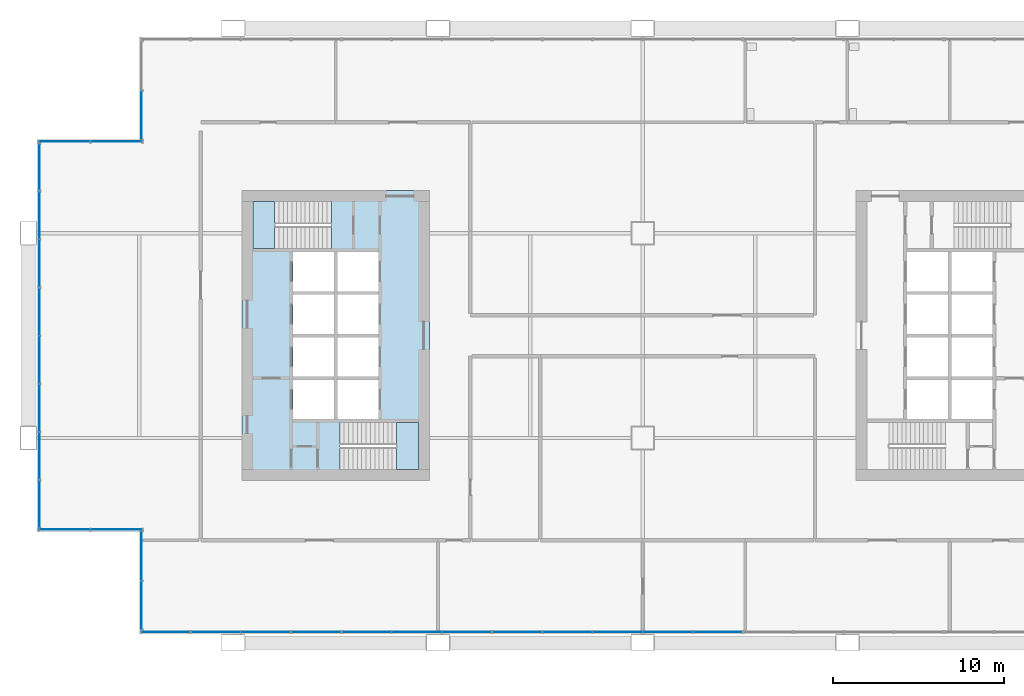
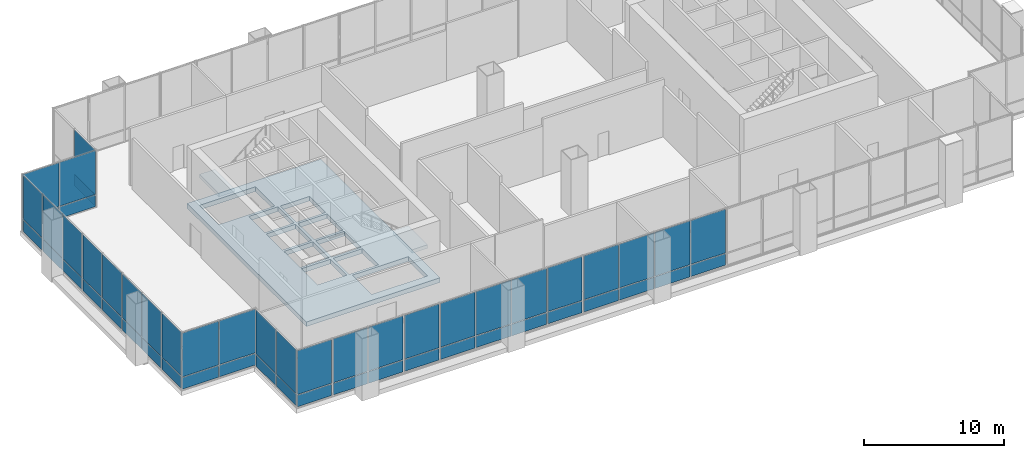
# One storey, part 12 of 20: 54 plates, 3 slabs, 17 elements without a shape of their own.
"""IFC4 building model written with IfcOpenShell, lengths in metres."""

from ifc_helpers import new_model, si_unit, direction, frame, origin, origin_2d, place, context, subcontext, project, spatial, polyline, rectangle, outline, extrude, material, layer, layer_set, type_object, element, aggregate, save


model = new_model("IFC4")

# Units and contexts
model_context = context("Model", 3, precision=1e-05, world=origin(), true_north=direction((0.0, 1.0)))
body_context = subcontext(model_context, "Body", "Model", "MODEL_VIEW")
ifc_project = project(units=[si_unit("LENGTHUNIT", "METRE"), si_unit("AREAUNIT", "SQUARE_METRE"), si_unit("VOLUMEUNIT", "CUBIC_METRE"), si_unit("PLANEANGLEUNIT", "RADIAN"), si_unit("MASSUNIT", "GRAM", prefix="KILO")], contexts=[model_context])

# Site, building, storey
site_placement = place(None, origin())
site = spatial("IfcSite", under=ifc_project, at=site_placement, CompositionType="ELEMENT")
building_placement = place(site_placement, origin())
building = spatial("IfcBuilding", under=site, at=building_placement, Name="Kitamizu Gate Tower and Museum", CompositionType="ELEMENT")
storey_placement = place(building_placement, frame((0.0, 0.0, 148.35009765625)))
storey = spatial("IfcBuildingStorey", under=building, at=storey_placement, Name="L39", CompositionType="ELEMENT", Elevation=148.35009765625)

# Slab
ifc_material_1 = material(Name="Concrete Fc36", Category="concrete")
ifc_layer_1 = layer(ifc_material_1, 0.39990234375)
ifc_layer_set_1 = layer_set([ifc_layer_1], Name="Concrete Fc36")
slab_type_1 = type_object("IfcSlabType", Name="Core floor slab 400", PredefinedType="FLOOR", material=ifc_layer_set_1)
slab_1_placement = place(storey_placement, frame((0.0, 0.0, -0.400146484375)))
element("IfcSlab", 1, at=slab_1_placement, inside=storey, type_object=slab_type_1, Name="Core floor slab W", PredefinedType="FLOOR", context=body_context, shape_type="SweptSolid", body=[
    extrude(outline(polyline([(12.5, 21.5), (23.5, 21.5), (23.5, 38.5), (12.5, 38.5), (12.5, 21.5)]), holes=[polyline([(15.5, 25.10009765625), (17.89990234375, 25.10009765625), (17.89990234375, 27.39990234375), (15.5, 27.39990234375), (15.5, 25.10009765625)]), polyline([(15.5, 27.60009765625), (17.89990234375, 27.60009765625), (17.89990234375, 29.89990234375), (15.5, 29.89990234375), (15.5, 27.60009765625)]), polyline([(15.5, 30.10009765625), (17.89990234375, 30.10009765625), (17.89990234375, 32.39990234375), (15.5, 32.39990234375), (15.5, 30.10009765625)]), polyline([(15.5, 32.60009765625), (17.89990234375, 32.60009765625), (17.89990234375, 34.89990234375), (15.5, 34.89990234375), (15.5, 32.60009765625)]), polyline([(18.10009765625, 25.10009765625), (20.5, 25.10009765625), (20.5, 27.39990234375), (18.10009765625, 27.39990234375), (18.10009765625, 25.10009765625)]), polyline([(18.10009765625, 27.60009765625), (20.5, 27.60009765625), (20.5, 29.89990234375), (18.10009765625, 29.89990234375), (18.10009765625, 27.60009765625)]), polyline([(18.10009765625, 30.10009765625), (20.5, 30.10009765625), (20.5, 32.39990234375), (18.10009765625, 32.39990234375), (18.10009765625, 30.10009765625)]), polyline([(18.10009765625, 32.60009765625), (20.5, 32.60009765625), (20.5, 34.89990234375), (18.10009765625, 34.89990234375), (18.10009765625, 32.60009765625)]), polyline([(18.25048828125, 22.14990234375), (22.85009765625, 22.14990234375), (22.85009765625, 24.89990234375), (18.25048828125, 24.89990234375), (18.25048828125, 22.14990234375)]), polyline([(13.14990234375, 35.10009765625), (17.74951171875, 35.10009765625), (17.74951171875, 37.85009765625), (13.14990234375, 37.85009765625), (13.14990234375, 35.10009765625)])]), origin(), (0.0, 0.0, 1.0), 0.400146484375),
])

# Curtain wall, plates
ifc_material_2 = material(Name="Bronze anodised aluminium frame, tinted triple glazing", Category="aluminium")
curtain_wall_type_1 = type_object("IfcCurtainWallType", Name="CURTAIN WALL TYPE B SKY LOBBY", PredefinedType="NOTDEFINED", material=ifc_material_2)
curtain_wall_1_placement = place(storey_placement, origin())
curtain_wall_1 = element("IfcCurtainWall", 2, at=curtain_wall_1_placement, inside=storey, type_object=curtain_wall_type_1, Name="Curtain wall CW-B south L39 part 1", PredefinedType="NOTDEFINED")
ifc_material_3 = material(Name="Tinted insulating glass", Category="glass")
ifc_layer_2 = layer(ifc_material_3, 0.031982421875)
ifc_layer_set_2 = layer_set([ifc_layer_2], Name="Tinted insulating glass")
plate_type_1 = type_object("IfcPlateType", Name="GLASS PANEL 32 TYPE B", PredefinedType="CURTAIN_PANEL", material=ifc_layer_set_2)
plate_1_placement = place(storey_placement, frame((8.031982421875, 12.635009765625, 0.06005859375), z_axis=(0.0, 0.0, 1.0), x_axis=(1.0, 0.0, 0.0)))
plate_1 = element("IfcPlate", 3, at=plate_1_placement, type_object=plate_type_1, Name="CW-B panel 1.1", PredefinedType="CURTAIN_PANEL", context=body_context, shape_type="SweptSolid", body=[
    extrude(rectangle(XDim=2.803955078125, YDim=0.031982421875, at=origin_2d()), origin(), (0.0, 0.0, 1.0), 1.010009765625),
])
plate_2_placement = place(storey_placement, frame((8.031982421875, 12.635009765625, 1.1298828125), z_axis=(0.0, 0.0, 1.0), x_axis=(1.0, 0.0, 0.0)))
plate_2 = element("IfcPlate", 4, at=plate_2_placement, type_object=plate_type_1, Name="CW-B panel 1.2", PredefinedType="CURTAIN_PANEL", context=body_context, shape_type="SweptSolid", body=[
    extrude(rectangle(XDim=2.803955078125, YDim=0.031982421875, at=origin_2d()), origin(), (0.0, 0.0, 1.0), 3.81005859375),
])
aggregate(curtain_wall_1, [plate_1, plate_2])

curtain_wall_2_placement = place(storey_placement, origin())
curtain_wall_2 = element("IfcCurtainWall", 5, at=curtain_wall_2_placement, inside=storey, type_object=curtain_wall_type_1, Name="Curtain wall CW-B south L39 part 3", PredefinedType="NOTDEFINED")
plate_3_placement = place(storey_placement, frame((16.864013671875, 12.635009765625, 0.06005859375), z_axis=(0.0, 0.0, 1.0), x_axis=(1.0, 0.0, 0.0)))
plate_3 = element("IfcPlate", 6, at=plate_3_placement, type_object=plate_type_1, Name="CW-B panel 1.1", PredefinedType="CURTAIN_PANEL", context=body_context, shape_type="SweptSolid", body=[
    extrude(rectangle(XDim=2.803955078125, YDim=0.031982421875, at=origin_2d()), origin(), (0.0, 0.0, 1.0), 1.010009765625),
])
plate_4_placement = place(storey_placement, frame((16.864013671875, 12.635009765625, 1.1298828125), z_axis=(0.0, 0.0, 1.0), x_axis=(1.0, 0.0, 0.0)))
plate_4 = element("IfcPlate", 7, at=plate_4_placement, type_object=plate_type_1, Name="CW-B panel 1.2", PredefinedType="CURTAIN_PANEL", context=body_context, shape_type="SweptSolid", body=[
    extrude(rectangle(XDim=2.803955078125, YDim=0.031982421875, at=origin_2d()), origin(), (0.0, 0.0, 1.0), 3.81005859375),
])
aggregate(curtain_wall_2, [plate_3, plate_4])

curtain_wall_3_placement = place(storey_placement, origin())
curtain_wall_3 = element("IfcCurtainWall", 8, at=curtain_wall_3_placement, inside=storey, type_object=curtain_wall_type_1, Name="Curtain wall CW-B south L39 part 5", PredefinedType="NOTDEFINED")
plate_5_placement = place(storey_placement, frame((28.639892578125, 12.635009765625, 0.06005859375), z_axis=(0.0, 0.0, 1.0), x_axis=(1.0, 0.0, 0.0)))
plate_5 = element("IfcPlate", 9, at=plate_5_placement, type_object=plate_type_1, Name="CW-B panel 1.1", PredefinedType="CURTAIN_PANEL", context=body_context, shape_type="SweptSolid", body=[
    extrude(rectangle(XDim=2.803955078125, YDim=0.031982421875, at=origin_2d()), origin(), (0.0, 0.0, 1.0), 1.010009765625),
])
plate_6_placement = place(storey_placement, frame((28.639892578125, 12.635009765625, 1.1298828125), z_axis=(0.0, 0.0, 1.0), x_axis=(1.0, 0.0, 0.0)))
plate_6 = element("IfcPlate", 10, at=plate_6_placement, type_object=plate_type_1, Name="CW-B panel 1.2", PredefinedType="CURTAIN_PANEL", context=body_context, shape_type="SweptSolid", body=[
    extrude(rectangle(XDim=2.803955078125, YDim=0.031982421875, at=origin_2d()), origin(), (0.0, 0.0, 1.0), 3.81005859375),
])
aggregate(curtain_wall_3, [plate_5, plate_6])

curtain_wall_4_placement = place(storey_placement, origin())
curtain_wall_4 = element("IfcCurtainWall", 11, at=curtain_wall_4_placement, inside=storey, type_object=curtain_wall_type_1, Name="Curtain wall CW-B west L39", PredefinedType="NOTDEFINED")
plate_7_placement = place(storey_placement, frame((6.635009765625, 42.919921875, 0.06005859375), z_axis=(0.0, 0.0, 1.0), x_axis=(0.0, 1.0, 0.0)))
plate_7 = element("IfcPlate", 12, at=plate_7_placement, type_object=plate_type_1, Name="CW-B panel 1.1", PredefinedType="CURTAIN_PANEL", context=body_context, shape_type="SweptSolid", body=[
    extrude(rectangle(XDim=2.820068359375, YDim=0.031982421875, at=origin_2d()), origin(), (0.0, 0.0, 1.0), 1.010009765625),
])
plate_8_placement = place(storey_placement, frame((6.635009765625, 42.919921875, 1.1298828125), z_axis=(0.0, 0.0, 1.0), x_axis=(0.0, 1.0, 0.0)))
plate_8 = element("IfcPlate", 13, at=plate_8_placement, type_object=plate_type_1, Name="CW-B panel 1.2", PredefinedType="CURTAIN_PANEL", context=body_context, shape_type="SweptSolid", body=[
    extrude(rectangle(XDim=2.820068359375, YDim=0.031982421875, at=origin_2d()), origin(), (0.0, 0.0, 1.0), 3.81005859375),
])
aggregate(curtain_wall_4, [plate_7, plate_8])

curtain_wall_5_placement = place(storey_placement, origin())
curtain_wall_5 = element("IfcCurtainWall", 14, at=curtain_wall_5_placement, inside=storey, type_object=curtain_wall_type_1, Name="Curtain wall CW-B north L39", PredefinedType="NOTDEFINED")
plate_9_placement = place(storey_placement, frame((2.114990234375, 41.364990234375, 0.06005859375), z_axis=(0.0, 0.0, 1.0), x_axis=(1.0, 0.0, 0.0)))
plate_9 = element("IfcPlate", 15, at=plate_9_placement, type_object=plate_type_1, Name="CW-B panel 1.1", PredefinedType="CURTAIN_PANEL", context=body_context, shape_type="SweptSolid", body=[
    extrude(rectangle(XDim=2.969970703125, YDim=0.031982421875, at=origin_2d()), origin(), (0.0, 0.0, 1.0), 1.010009765625),
])
plate_10_placement = place(storey_placement, frame((2.114990234375, 41.364990234375, 1.1298828125), z_axis=(0.0, 0.0, 1.0), x_axis=(1.0, 0.0, 0.0)))
plate_10 = element("IfcPlate", 16, at=plate_10_placement, type_object=plate_type_1, Name="CW-B panel 1.2", PredefinedType="CURTAIN_PANEL", context=body_context, shape_type="SweptSolid", body=[
    extrude(rectangle(XDim=2.969970703125, YDim=0.031982421875, at=origin_2d()), origin(), (0.0, 0.0, 1.0), 3.81005859375),
])
plate_11_placement = place(storey_placement, frame((5.155029296875, 41.364990234375, 0.06005859375), z_axis=(0.0, 0.0, 1.0), x_axis=(1.0, 0.0, 0.0)))
plate_11 = element("IfcPlate", 17, at=plate_11_placement, type_object=plate_type_1, Name="CW-B panel 2.1", PredefinedType="CURTAIN_PANEL", context=body_context, shape_type="SweptSolid", body=[
    extrude(rectangle(XDim=2.969970703125, YDim=0.031982421875, at=origin_2d()), origin(), (0.0, 0.0, 1.0), 1.010009765625),
])
plate_12_placement = place(storey_placement, frame((5.155029296875, 41.364990234375, 1.1298828125), z_axis=(0.0, 0.0, 1.0), x_axis=(1.0, 0.0, 0.0)))
plate_12 = element("IfcPlate", 18, at=plate_12_placement, type_object=plate_type_1, Name="CW-B panel 2.2", PredefinedType="CURTAIN_PANEL", context=body_context, shape_type="SweptSolid", body=[
    extrude(rectangle(XDim=2.969970703125, YDim=0.031982421875, at=origin_2d()), origin(), (0.0, 0.0, 1.0), 3.81005859375),
])
aggregate(curtain_wall_5, [plate_9, plate_10, plate_11, plate_12])

curtain_wall_6_placement = place(storey_placement, origin())
curtain_wall_6 = element("IfcCurtainWall", 19, at=curtain_wall_6_placement, inside=storey, type_object=curtain_wall_type_1, Name="Curtain wall CW-B west L39 part 1", PredefinedType="NOTDEFINED")
plate_13_placement = place(storey_placement, frame((0.635009765625, 20.121337890625, 0.06005859375), z_axis=(0.0, 0.0, 1.0), x_axis=(0.0, 1.0, 0.0)))
plate_13 = element("IfcPlate", 20, at=plate_13_placement, type_object=plate_type_1, Name="CW-B panel 1.1", PredefinedType="CURTAIN_PANEL", context=body_context, shape_type="SweptSolid", body=[
    extrude(rectangle(XDim=2.6826171875, YDim=0.031982421875, at=origin_2d()), origin(), (0.0, 0.0, 1.0), 1.010009765625),
])
plate_14_placement = place(storey_placement, frame((0.635009765625, 20.121337890625, 1.1298828125), z_axis=(0.0, 0.0, 1.0), x_axis=(0.0, 1.0, 0.0)))
plate_14 = element("IfcPlate", 21, at=plate_14_placement, type_object=plate_type_1, Name="CW-B panel 1.2", PredefinedType="CURTAIN_PANEL", context=body_context, shape_type="SweptSolid", body=[
    extrude(rectangle(XDim=2.6826171875, YDim=0.031982421875, at=origin_2d()), origin(), (0.0, 0.0, 1.0), 3.81005859375),
])
aggregate(curtain_wall_6, [plate_13, plate_14])

curtain_wall_7_placement = place(storey_placement, origin())
curtain_wall_7 = element("IfcCurtainWall", 22, at=curtain_wall_7_placement, inside=storey, type_object=curtain_wall_type_1, Name="Curtain wall CW-B west L39 part 3", PredefinedType="NOTDEFINED")
plate_15_placement = place(storey_placement, frame((0.635009765625, 28.606201171875, 0.06005859375), z_axis=(0.0, 0.0, 1.0), x_axis=(0.0, 1.0, 0.0)))
plate_15 = element("IfcPlate", 23, at=plate_15_placement, type_object=plate_type_1, Name="CW-B panel 1.1", PredefinedType="CURTAIN_PANEL", context=body_context, shape_type="SweptSolid", body=[
    extrude(rectangle(XDim=2.717529296875, YDim=0.031982421875, at=origin_2d()), origin(), (0.0, 0.0, 1.0), 1.010009765625),
])
plate_16_placement = place(storey_placement, frame((0.635009765625, 28.606201171875, 1.1298828125), z_axis=(0.0, 0.0, 1.0), x_axis=(0.0, 1.0, 0.0)))
plate_16 = element("IfcPlate", 24, at=plate_16_placement, type_object=plate_type_1, Name="CW-B panel 1.2", PredefinedType="CURTAIN_PANEL", context=body_context, shape_type="SweptSolid", body=[
    extrude(rectangle(XDim=2.717529296875, YDim=0.031982421875, at=origin_2d()), origin(), (0.0, 0.0, 1.0), 3.81005859375),
])
plate_17_placement = place(storey_placement, frame((0.635009765625, 31.393798828125, 0.06005859375), z_axis=(0.0, 0.0, 1.0), x_axis=(0.0, 1.0, 0.0)))
plate_17 = element("IfcPlate", 25, at=plate_17_placement, type_object=plate_type_1, Name="CW-B panel 2.1", PredefinedType="CURTAIN_PANEL", context=body_context, shape_type="SweptSolid", body=[
    extrude(rectangle(XDim=2.717529296875, YDim=0.031982421875, at=origin_2d()), origin(), (0.0, 0.0, 1.0), 1.010009765625),
])
plate_18_placement = place(storey_placement, frame((0.635009765625, 31.393798828125, 1.1298828125), z_axis=(0.0, 0.0, 1.0), x_axis=(0.0, 1.0, 0.0)))
plate_18 = element("IfcPlate", 26, at=plate_18_placement, type_object=plate_type_1, Name="CW-B panel 2.2", PredefinedType="CURTAIN_PANEL", context=body_context, shape_type="SweptSolid", body=[
    extrude(rectangle(XDim=2.717529296875, YDim=0.031982421875, at=origin_2d()), origin(), (0.0, 0.0, 1.0), 3.81005859375),
])
aggregate(curtain_wall_7, [plate_15, plate_16, plate_17, plate_18])

curtain_wall_8_placement = place(storey_placement, origin())
curtain_wall_8 = element("IfcCurtainWall", 27, at=curtain_wall_8_placement, inside=storey, type_object=curtain_wall_type_1, Name="Curtain wall CW-B west L39 part 5", PredefinedType="NOTDEFINED")
plate_19_placement = place(storey_placement, frame((0.635009765625, 39.878662109375, 0.06005859375), z_axis=(0.0, 0.0, 1.0), x_axis=(0.0, 1.0, 0.0)))
plate_19 = element("IfcPlate", 28, at=plate_19_placement, type_object=plate_type_1, Name="CW-B panel 1.1", PredefinedType="CURTAIN_PANEL", context=body_context, shape_type="SweptSolid", body=[
    extrude(rectangle(XDim=2.6826171875, YDim=0.031982421875, at=origin_2d()), origin(), (0.0, 0.0, 1.0), 1.010009765625),
])
plate_20_placement = place(storey_placement, frame((0.635009765625, 39.878662109375, 1.1298828125), z_axis=(0.0, 0.0, 1.0), x_axis=(0.0, 1.0, 0.0)))
plate_20 = element("IfcPlate", 29, at=plate_20_placement, type_object=plate_type_1, Name="CW-B panel 1.2", PredefinedType="CURTAIN_PANEL", context=body_context, shape_type="SweptSolid", body=[
    extrude(rectangle(XDim=2.6826171875, YDim=0.031982421875, at=origin_2d()), origin(), (0.0, 0.0, 1.0), 3.81005859375),
])
aggregate(curtain_wall_8, [plate_19, plate_20])

curtain_wall_9_placement = place(storey_placement, origin())
curtain_wall_9 = element("IfcCurtainWall", 30, at=curtain_wall_9_placement, inside=storey, type_object=curtain_wall_type_1, Name="Curtain wall CW-B south L39", PredefinedType="NOTDEFINED")
plate_21_placement = place(storey_placement, frame((2.114990234375, 18.635009765625, 0.06005859375), z_axis=(0.0, 0.0, 1.0), x_axis=(1.0, 0.0, 0.0)))
plate_21 = element("IfcPlate", 31, at=plate_21_placement, type_object=plate_type_1, Name="CW-B panel 1.1", PredefinedType="CURTAIN_PANEL", context=body_context, shape_type="SweptSolid", body=[
    extrude(rectangle(XDim=2.969970703125, YDim=0.031982421875, at=origin_2d()), origin(), (0.0, 0.0, 1.0), 1.010009765625),
])
plate_22_placement = place(storey_placement, frame((2.114990234375, 18.635009765625, 1.1298828125), z_axis=(0.0, 0.0, 1.0), x_axis=(1.0, 0.0, 0.0)))
plate_22 = element("IfcPlate", 32, at=plate_22_placement, type_object=plate_type_1, Name="CW-B panel 1.2", PredefinedType="CURTAIN_PANEL", context=body_context, shape_type="SweptSolid", body=[
    extrude(rectangle(XDim=2.969970703125, YDim=0.031982421875, at=origin_2d()), origin(), (0.0, 0.0, 1.0), 3.81005859375),
])
plate_23_placement = place(storey_placement, frame((5.155029296875, 18.635009765625, 0.06005859375), z_axis=(0.0, 0.0, 1.0), x_axis=(1.0, 0.0, 0.0)))
plate_23 = element("IfcPlate", 33, at=plate_23_placement, type_object=plate_type_1, Name="CW-B panel 2.1", PredefinedType="CURTAIN_PANEL", context=body_context, shape_type="SweptSolid", body=[
    extrude(rectangle(XDim=2.969970703125, YDim=0.031982421875, at=origin_2d()), origin(), (0.0, 0.0, 1.0), 1.010009765625),
])
plate_24_placement = place(storey_placement, frame((5.155029296875, 18.635009765625, 1.1298828125), z_axis=(0.0, 0.0, 1.0), x_axis=(1.0, 0.0, 0.0)))
plate_24 = element("IfcPlate", 34, at=plate_24_placement, type_object=plate_type_1, Name="CW-B panel 2.2", PredefinedType="CURTAIN_PANEL", context=body_context, shape_type="SweptSolid", body=[
    extrude(rectangle(XDim=2.969970703125, YDim=0.031982421875, at=origin_2d()), origin(), (0.0, 0.0, 1.0), 3.81005859375),
])
aggregate(curtain_wall_9, [plate_21, plate_22, plate_23, plate_24])

curtain_wall_10_placement = place(storey_placement, origin())
curtain_wall_10 = element("IfcCurtainWall", 35, at=curtain_wall_10_placement, inside=storey, type_object=curtain_wall_type_1, Name="Curtain wall CW-B west L39", PredefinedType="NOTDEFINED")
plate_25_placement = place(storey_placement, frame((6.635009765625, 14.18994140625, 0.06005859375), z_axis=(0.0, 0.0, 1.0), x_axis=(0.0, 1.0, 0.0)))
plate_25 = element("IfcPlate", 36, at=plate_25_placement, type_object=plate_type_1, Name="CW-B panel 1.1", PredefinedType="CURTAIN_PANEL", context=body_context, shape_type="SweptSolid", body=[
    extrude(rectangle(XDim=2.820068359375, YDim=0.031982421875, at=origin_2d()), origin(), (0.0, 0.0, 1.0), 1.010009765625),
])
plate_26_placement = place(storey_placement, frame((6.635009765625, 14.18994140625, 1.1298828125), z_axis=(0.0, 0.0, 1.0), x_axis=(0.0, 1.0, 0.0)))
plate_26 = element("IfcPlate", 37, at=plate_26_placement, type_object=plate_type_1, Name="CW-B panel 1.2", PredefinedType="CURTAIN_PANEL", context=body_context, shape_type="SweptSolid", body=[
    extrude(rectangle(XDim=2.820068359375, YDim=0.031982421875, at=origin_2d()), origin(), (0.0, 0.0, 1.0), 3.81005859375),
])
plate_27_placement = place(storey_placement, frame((6.635009765625, 17.080078125, 0.06005859375), z_axis=(0.0, 0.0, 1.0), x_axis=(0.0, 1.0, 0.0)))
plate_27 = element("IfcPlate", 38, at=plate_27_placement, type_object=plate_type_1, Name="CW-B panel 2.1", PredefinedType="CURTAIN_PANEL", context=body_context, shape_type="SweptSolid", body=[
    extrude(rectangle(XDim=2.820068359375, YDim=0.031982421875, at=origin_2d()), origin(), (0.0, 0.0, 1.0), 1.010009765625),
])
plate_28_placement = place(storey_placement, frame((6.635009765625, 17.080078125, 1.1298828125), z_axis=(0.0, 0.0, 1.0), x_axis=(0.0, 1.0, 0.0)))
plate_28 = element("IfcPlate", 39, at=plate_28_placement, type_object=plate_type_1, Name="CW-B panel 2.2", PredefinedType="CURTAIN_PANEL", context=body_context, shape_type="SweptSolid", body=[
    extrude(rectangle(XDim=2.820068359375, YDim=0.031982421875, at=origin_2d()), origin(), (0.0, 0.0, 1.0), 3.81005859375),
])
aggregate(curtain_wall_10, [plate_25, plate_26, plate_27, plate_28])

ifc_material_4 = material(Name="Bronze anodised aluminium frame, insulated panels", Category="aluminium")
curtain_wall_type_2 = type_object("IfcCurtainWallType", Name="CURTAIN WALL TYPE B SKY LOBBY INSULATED", PredefinedType="NOTDEFINED", material=ifc_material_4)
curtain_wall_11_placement = place(storey_placement, origin())
curtain_wall_11 = element("IfcCurtainWall", 40, at=curtain_wall_11_placement, inside=storey, type_object=curtain_wall_type_2, Name="Curtain wall CW-BI south L39 part 2", PredefinedType="NOTDEFINED")
ifc_material_5 = material(Name="Bronze anodised aluminium insulated panel", Category="aluminium")
ifc_layer_3 = layer(ifc_material_5, 0.031982421875)
ifc_layer_set_3 = layer_set([ifc_layer_3], Name="Bronze anodised aluminium insulated panel")
plate_type_2 = type_object("IfcPlateType", Name="INSULATED PANEL 32 TYPE B", PredefinedType="CURTAIN_PANEL", material=ifc_layer_set_3)
plate_29_placement = place(storey_placement, frame((10.993408203125, 12.635009765625, 0.06005859375), z_axis=(0.0, 0.0, 1.0), x_axis=(1.0, 0.0, 0.0)))
plate_29 = element("IfcPlate", 41, at=plate_29_placement, type_object=plate_type_2, Name="CW-BI panel 1.1", PredefinedType="CURTAIN_PANEL", context=body_context, shape_type="SweptSolid", body=[
    extrude(rectangle(XDim=2.839111328125, YDim=0.031982421875, at=origin_2d()), origin(), (0.0, 0.0, 1.0), 1.010009765625),
])
plate_30_placement = place(storey_placement, frame((10.993408203125, 12.635009765625, 1.1298828125), z_axis=(0.0, 0.0, 1.0), x_axis=(1.0, 0.0, 0.0)))
plate_30 = element("IfcPlate", 42, at=plate_30_placement, type_object=plate_type_2, Name="CW-BI panel 1.2", PredefinedType="CURTAIN_PANEL", context=body_context, shape_type="SweptSolid", body=[
    extrude(rectangle(XDim=2.839111328125, YDim=0.031982421875, at=origin_2d()), origin(), (0.0, 0.0, 1.0), 3.81005859375),
])
plate_31_placement = place(storey_placement, frame((13.902587890625, 12.635009765625, 0.06005859375), z_axis=(0.0, 0.0, 1.0), x_axis=(1.0, 0.0, 0.0)))
plate_31 = element("IfcPlate", 43, at=plate_31_placement, type_object=plate_type_2, Name="CW-BI panel 2.1", PredefinedType="CURTAIN_PANEL", context=body_context, shape_type="SweptSolid", body=[
    extrude(rectangle(XDim=2.839111328125, YDim=0.031982421875, at=origin_2d()), origin(), (0.0, 0.0, 1.0), 1.010009765625),
])
plate_32_placement = place(storey_placement, frame((13.902587890625, 12.635009765625, 1.1298828125), z_axis=(0.0, 0.0, 1.0), x_axis=(1.0, 0.0, 0.0)))
plate_32 = element("IfcPlate", 44, at=plate_32_placement, type_object=plate_type_2, Name="CW-BI panel 2.2", PredefinedType="CURTAIN_PANEL", context=body_context, shape_type="SweptSolid", body=[
    extrude(rectangle(XDim=2.839111328125, YDim=0.031982421875, at=origin_2d()), origin(), (0.0, 0.0, 1.0), 3.81005859375),
])
aggregate(curtain_wall_11, [plate_29, plate_30, plate_31, plate_32])

curtain_wall_12_placement = place(storey_placement, origin())
curtain_wall_12 = element("IfcCurtainWall", 45, at=curtain_wall_12_placement, inside=storey, type_object=curtain_wall_type_2, Name="Curtain wall CW-BI south L39 part 4", PredefinedType="NOTDEFINED")
plate_33_placement = place(storey_placement, frame((19.825439453125, 12.635009765625, 0.06005859375), z_axis=(0.0, 0.0, 1.0), x_axis=(1.0, 0.0, 0.0)))
plate_33 = element("IfcPlate", 46, at=plate_33_placement, type_object=plate_type_2, Name="CW-BI panel 1.1", PredefinedType="CURTAIN_PANEL", context=body_context, shape_type="SweptSolid", body=[
    extrude(rectangle(XDim=2.839111328125, YDim=0.031982421875, at=origin_2d()), origin(), (0.0, 0.0, 1.0), 1.010009765625),
])
plate_34_placement = place(storey_placement, frame((19.825439453125, 12.635009765625, 1.1298828125), z_axis=(0.0, 0.0, 1.0), x_axis=(1.0, 0.0, 0.0)))
plate_34 = element("IfcPlate", 47, at=plate_34_placement, type_object=plate_type_2, Name="CW-BI panel 1.2", PredefinedType="CURTAIN_PANEL", context=body_context, shape_type="SweptSolid", body=[
    extrude(rectangle(XDim=2.839111328125, YDim=0.031982421875, at=origin_2d()), origin(), (0.0, 0.0, 1.0), 3.81005859375),
])
plate_35_placement = place(storey_placement, frame((22.751953125, 12.635009765625, 0.06005859375), z_axis=(0.0, 0.0, 1.0), x_axis=(1.0, 0.0, 0.0)))
plate_35 = element("IfcPlate", 48, at=plate_35_placement, type_object=plate_type_2, Name="CW-BI panel 2.1", PredefinedType="CURTAIN_PANEL", context=body_context, shape_type="SweptSolid", body=[
    extrude(rectangle(XDim=2.8740234375, YDim=0.031982421875, at=origin_2d()), origin(), (0.0, 0.0, 1.0), 1.010009765625),
])
plate_36_placement = place(storey_placement, frame((22.751953125, 12.635009765625, 1.1298828125), z_axis=(0.0, 0.0, 1.0), x_axis=(1.0, 0.0, 0.0)))
plate_36 = element("IfcPlate", 49, at=plate_36_placement, type_object=plate_type_2, Name="CW-BI panel 2.2", PredefinedType="CURTAIN_PANEL", context=body_context, shape_type="SweptSolid", body=[
    extrude(rectangle(XDim=2.8740234375, YDim=0.031982421875, at=origin_2d()), origin(), (0.0, 0.0, 1.0), 3.81005859375),
])
plate_37_placement = place(storey_placement, frame((25.678466796875, 12.635009765625, 0.06005859375), z_axis=(0.0, 0.0, 1.0), x_axis=(1.0, 0.0, 0.0)))
plate_37 = element("IfcPlate", 50, at=plate_37_placement, type_object=plate_type_2, Name="CW-BI panel 3.1", PredefinedType="CURTAIN_PANEL", context=body_context, shape_type="SweptSolid", body=[
    extrude(rectangle(XDim=2.839111328125, YDim=0.031982421875, at=origin_2d()), origin(), (0.0, 0.0, 1.0), 1.010009765625),
])
plate_38_placement = place(storey_placement, frame((25.678466796875, 12.635009765625, 1.1298828125), z_axis=(0.0, 0.0, 1.0), x_axis=(1.0, 0.0, 0.0)))
plate_38 = element("IfcPlate", 51, at=plate_38_placement, type_object=plate_type_2, Name="CW-BI panel 3.2", PredefinedType="CURTAIN_PANEL", context=body_context, shape_type="SweptSolid", body=[
    extrude(rectangle(XDim=2.839111328125, YDim=0.031982421875, at=origin_2d()), origin(), (0.0, 0.0, 1.0), 3.81005859375),
])
aggregate(curtain_wall_12, [plate_33, plate_34, plate_35, plate_36, plate_37, plate_38])

curtain_wall_13_placement = place(storey_placement, origin())
curtain_wall_13 = element("IfcCurtainWall", 52, at=curtain_wall_13_placement, inside=storey, type_object=curtain_wall_type_2, Name="Curtain wall CW-BI south L39 part 6", PredefinedType="NOTDEFINED")
plate_39_placement = place(storey_placement, frame((31.6015625, 12.635009765625, 0.06005859375), z_axis=(0.0, 0.0, 1.0), x_axis=(1.0, 0.0, 0.0)))
plate_39 = element("IfcPlate", 53, at=plate_39_placement, type_object=plate_type_2, Name="CW-BI panel 1.1", PredefinedType="CURTAIN_PANEL", context=body_context, shape_type="SweptSolid", body=[
    extrude(rectangle(XDim=2.839111328125, YDim=0.031982421875, at=origin_2d()), origin(), (0.0, 0.0, 1.0), 1.010009765625),
])
plate_40_placement = place(storey_placement, frame((31.6015625, 12.635009765625, 1.1298828125), z_axis=(0.0, 0.0, 1.0), x_axis=(1.0, 0.0, 0.0)))
plate_40 = element("IfcPlate", 54, at=plate_40_placement, type_object=plate_type_2, Name="CW-BI panel 1.2", PredefinedType="CURTAIN_PANEL", context=body_context, shape_type="SweptSolid", body=[
    extrude(rectangle(XDim=2.839111328125, YDim=0.031982421875, at=origin_2d()), origin(), (0.0, 0.0, 1.0), 3.81005859375),
])
plate_41_placement = place(storey_placement, frame((34.528076171875, 12.635009765625, 0.06005859375), z_axis=(0.0, 0.0, 1.0), x_axis=(1.0, 0.0, 0.0)))
plate_41 = element("IfcPlate", 55, at=plate_41_placement, type_object=plate_type_2, Name="CW-BI panel 2.1", PredefinedType="CURTAIN_PANEL", context=body_context, shape_type="SweptSolid", body=[
    extrude(rectangle(XDim=2.8740234375, YDim=0.031982421875, at=origin_2d()), origin(), (0.0, 0.0, 1.0), 1.010009765625),
])
plate_42_placement = place(storey_placement, frame((34.528076171875, 12.635009765625, 1.1298828125), z_axis=(0.0, 0.0, 1.0), x_axis=(1.0, 0.0, 0.0)))
plate_42 = element("IfcPlate", 56, at=plate_42_placement, type_object=plate_type_2, Name="CW-BI panel 2.2", PredefinedType="CURTAIN_PANEL", context=body_context, shape_type="SweptSolid", body=[
    extrude(rectangle(XDim=2.8740234375, YDim=0.031982421875, at=origin_2d()), origin(), (0.0, 0.0, 1.0), 3.81005859375),
])
plate_43_placement = place(storey_placement, frame((37.471923828125, 12.635009765625, 0.06005859375), z_axis=(0.0, 0.0, 1.0), x_axis=(1.0, 0.0, 0.0)))
plate_43 = element("IfcPlate", 57, at=plate_43_placement, type_object=plate_type_2, Name="CW-BI panel 3.1", PredefinedType="CURTAIN_PANEL", context=body_context, shape_type="SweptSolid", body=[
    extrude(rectangle(XDim=2.8740234375, YDim=0.031982421875, at=origin_2d()), origin(), (0.0, 0.0, 1.0), 1.010009765625),
])
plate_44_placement = place(storey_placement, frame((37.471923828125, 12.635009765625, 1.1298828125), z_axis=(0.0, 0.0, 1.0), x_axis=(1.0, 0.0, 0.0)))
plate_44 = element("IfcPlate", 58, at=plate_44_placement, type_object=plate_type_2, Name="CW-BI panel 3.2", PredefinedType="CURTAIN_PANEL", context=body_context, shape_type="SweptSolid", body=[
    extrude(rectangle(XDim=2.8740234375, YDim=0.031982421875, at=origin_2d()), origin(), (0.0, 0.0, 1.0), 3.81005859375),
])
plate_45_placement = place(storey_placement, frame((40.3984375, 12.635009765625, 0.06005859375), z_axis=(0.0, 0.0, 1.0), x_axis=(1.0, 0.0, 0.0)))
plate_45 = element("IfcPlate", 59, at=plate_45_placement, type_object=plate_type_2, Name="CW-BI panel 4.1", PredefinedType="CURTAIN_PANEL", context=body_context, shape_type="SweptSolid", body=[
    extrude(rectangle(XDim=2.839111328125, YDim=0.031982421875, at=origin_2d()), origin(), (0.0, 0.0, 1.0), 1.010009765625),
])
plate_46_placement = place(storey_placement, frame((40.3984375, 12.635009765625, 1.1298828125), z_axis=(0.0, 0.0, 1.0), x_axis=(1.0, 0.0, 0.0)))
plate_46 = element("IfcPlate", 60, at=plate_46_placement, type_object=plate_type_2, Name="CW-BI panel 4.2", PredefinedType="CURTAIN_PANEL", context=body_context, shape_type="SweptSolid", body=[
    extrude(rectangle(XDim=2.839111328125, YDim=0.031982421875, at=origin_2d()), origin(), (0.0, 0.0, 1.0), 3.81005859375),
])
aggregate(curtain_wall_13, [plate_39, plate_40, plate_41, plate_42, plate_43, plate_44, plate_45, plate_46])

curtain_wall_14_placement = place(storey_placement, origin())
curtain_wall_14 = element("IfcCurtainWall", 61, at=curtain_wall_14_placement, inside=storey, type_object=curtain_wall_type_2, Name="Curtain wall CW-BI west L39 part 2", PredefinedType="NOTDEFINED")
plate_47_placement = place(storey_placement, frame((0.635009765625, 22.961181640625, 0.06005859375), z_axis=(0.0, 0.0, 1.0), x_axis=(0.0, 1.0, 0.0)))
plate_47 = element("IfcPlate", 62, at=plate_47_placement, type_object=plate_type_2, Name="CW-BI panel 1.1", PredefinedType="CURTAIN_PANEL", context=body_context, shape_type="SweptSolid", body=[
    extrude(rectangle(XDim=2.717529296875, YDim=0.031982421875, at=origin_2d()), origin(), (0.0, 0.0, 1.0), 1.010009765625),
])
plate_48_placement = place(storey_placement, frame((0.635009765625, 22.961181640625, 1.1298828125), z_axis=(0.0, 0.0, 1.0), x_axis=(0.0, 1.0, 0.0)))
plate_48 = element("IfcPlate", 63, at=plate_48_placement, type_object=plate_type_2, Name="CW-BI panel 1.2", PredefinedType="CURTAIN_PANEL", context=body_context, shape_type="SweptSolid", body=[
    extrude(rectangle(XDim=2.717529296875, YDim=0.031982421875, at=origin_2d()), origin(), (0.0, 0.0, 1.0), 3.81005859375),
])
plate_49_placement = place(storey_placement, frame((0.635009765625, 25.748779296875, 0.06005859375), z_axis=(0.0, 0.0, 1.0), x_axis=(0.0, 1.0, 0.0)))
plate_49 = element("IfcPlate", 64, at=plate_49_placement, type_object=plate_type_2, Name="CW-BI panel 2.1", PredefinedType="CURTAIN_PANEL", context=body_context, shape_type="SweptSolid", body=[
    extrude(rectangle(XDim=2.717529296875, YDim=0.031982421875, at=origin_2d()), origin(), (0.0, 0.0, 1.0), 1.010009765625),
])
plate_50_placement = place(storey_placement, frame((0.635009765625, 25.748779296875, 1.1298828125), z_axis=(0.0, 0.0, 1.0), x_axis=(0.0, 1.0, 0.0)))
plate_50 = element("IfcPlate", 65, at=plate_50_placement, type_object=plate_type_2, Name="CW-BI panel 2.2", PredefinedType="CURTAIN_PANEL", context=body_context, shape_type="SweptSolid", body=[
    extrude(rectangle(XDim=2.717529296875, YDim=0.031982421875, at=origin_2d()), origin(), (0.0, 0.0, 1.0), 3.81005859375),
])
aggregate(curtain_wall_14, [plate_47, plate_48, plate_49, plate_50])

curtain_wall_15_placement = place(storey_placement, origin())
curtain_wall_15 = element("IfcCurtainWall", 66, at=curtain_wall_15_placement, inside=storey, type_object=curtain_wall_type_2, Name="Curtain wall CW-BI west L39 part 4", PredefinedType="NOTDEFINED")
plate_51_placement = place(storey_placement, frame((0.635009765625, 34.251220703125, 0.06005859375), z_axis=(0.0, 0.0, 1.0), x_axis=(0.0, 1.0, 0.0)))
plate_51 = element("IfcPlate", 67, at=plate_51_placement, type_object=plate_type_2, Name="CW-BI panel 1.1", PredefinedType="CURTAIN_PANEL", context=body_context, shape_type="SweptSolid", body=[
    extrude(rectangle(XDim=2.717529296875, YDim=0.031982421875, at=origin_2d()), origin(), (0.0, 0.0, 1.0), 1.010009765625),
])
plate_52_placement = place(storey_placement, frame((0.635009765625, 34.251220703125, 1.1298828125), z_axis=(0.0, 0.0, 1.0), x_axis=(0.0, 1.0, 0.0)))
plate_52 = element("IfcPlate", 68, at=plate_52_placement, type_object=plate_type_2, Name="CW-BI panel 1.2", PredefinedType="CURTAIN_PANEL", context=body_context, shape_type="SweptSolid", body=[
    extrude(rectangle(XDim=2.717529296875, YDim=0.031982421875, at=origin_2d()), origin(), (0.0, 0.0, 1.0), 3.81005859375),
])
plate_53_placement = place(storey_placement, frame((0.635009765625, 37.038818359375, 0.06005859375), z_axis=(0.0, 0.0, 1.0), x_axis=(0.0, 1.0, 0.0)))
plate_53 = element("IfcPlate", 69, at=plate_53_placement, type_object=plate_type_2, Name="CW-BI panel 2.1", PredefinedType="CURTAIN_PANEL", context=body_context, shape_type="SweptSolid", body=[
    extrude(rectangle(XDim=2.717529296875, YDim=0.031982421875, at=origin_2d()), origin(), (0.0, 0.0, 1.0), 1.010009765625),
])
plate_54_placement = place(storey_placement, frame((0.635009765625, 37.038818359375, 1.1298828125), z_axis=(0.0, 0.0, 1.0), x_axis=(0.0, 1.0, 0.0)))
plate_54 = element("IfcPlate", 70, at=plate_54_placement, type_object=plate_type_2, Name="CW-BI panel 2.2", PredefinedType="CURTAIN_PANEL", context=body_context, shape_type="SweptSolid", body=[
    extrude(rectangle(XDim=2.717529296875, YDim=0.031982421875, at=origin_2d()), origin(), (0.0, 0.0, 1.0), 3.81005859375),
])
aggregate(curtain_wall_15, [plate_51, plate_52, plate_53, plate_54])

# Stair, slab
ifc_material_6 = material(Name="Concrete Fc42", Category="concrete")
stair_type = type_object("IfcStairType", Name="Exit stair 1275 wide 193 rise 256 going", PredefinedType="HALF_TURN_STAIR", material=ifc_material_6)
stair_1_placement = place(storey_placement, origin())
stair_1 = element("IfcStair", 71, at=stair_1_placement, inside=storey, type_object=stair_type, Name="Exit stair ST1", PredefinedType="HALF_TURN_STAIR")
ifc_material_7 = material(Name="Concrete Fc42", Category="concrete")
ifc_layer_4 = layer(ifc_material_7, 0.300048828125)
ifc_layer_set_4 = layer_set([ifc_layer_4], Name="Concrete Fc42")
slab_type_2 = type_object("IfcSlabType", Name="Stair landing 300", PredefinedType="LANDING", material=ifc_layer_set_4)
slab_2_placement = place(storey_placement, frame((0.0, 0.0, 2.39990234375)))
slab_2 = element("IfcSlab", 72, at=slab_2_placement, type_object=slab_type_2, Name="ST1 landing 1", PredefinedType="LANDING", context=body_context, shape_type="SweptSolid", body=[
    extrude(outline(polyline([(21.574951171875, 22.14990234375), (22.85009765625, 22.14990234375), (22.85009765625, 24.89990234375), (21.574951171875, 24.89990234375), (21.574951171875, 22.14990234375)])), origin(), (0.0, 0.0, 1.0), 0.300048828125),
])
aggregate(stair_1, [slab_2])

stair_2_placement = place(storey_placement, origin())
stair_2 = element("IfcStair", 73, at=stair_2_placement, inside=storey, type_object=stair_type, Name="Exit stair ST2", PredefinedType="HALF_TURN_STAIR")
slab_3_placement = place(storey_placement, frame((0.0, 0.0, 2.39990234375)))
slab_3 = element("IfcSlab", 74, at=slab_3_placement, type_object=slab_type_2, Name="ST2 landing 1", PredefinedType="LANDING", context=body_context, shape_type="SweptSolid", body=[
    extrude(outline(polyline([(13.14990234375, 35.10009765625), (14.425048828125, 35.10009765625), (14.425048828125, 37.85009765625), (13.14990234375, 37.85009765625), (13.14990234375, 35.10009765625)])), origin(), (0.0, 0.0, 1.0), 0.300048828125),
])
aggregate(stair_2, [slab_3])

save(model, "model.ifc")
